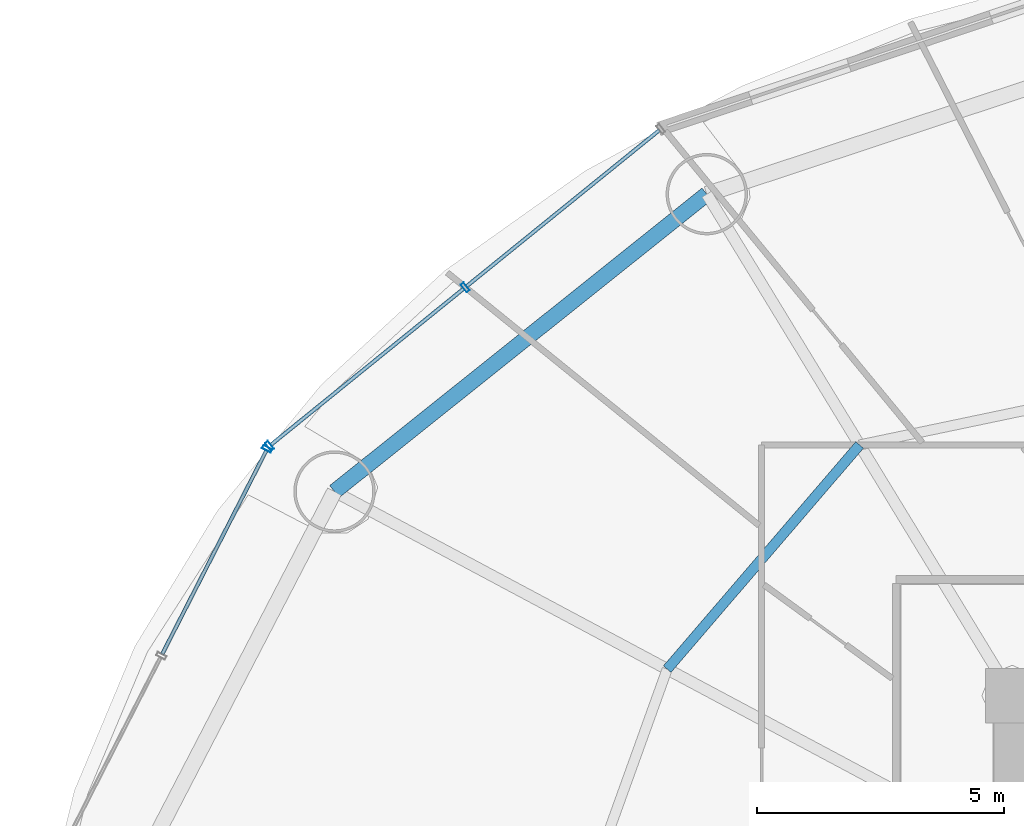
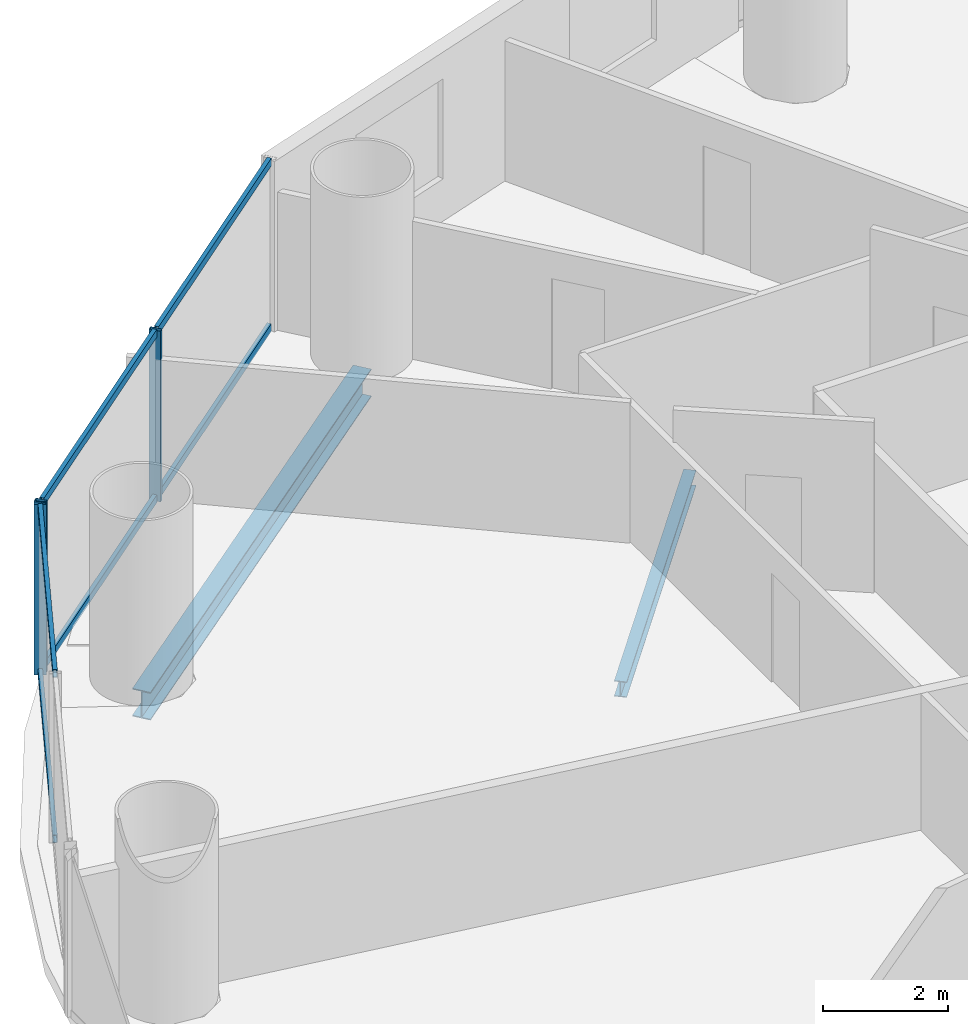
# One storey, part 15 of 30: 9 members, 2 beams, 2 elements without a shape of their own.
"""IFC4 building model written with IfcOpenShell, lengths in metres."""

from ifc_helpers import new_model, si_unit, direction, frame, origin, origin_2d, place, context, subcontext, project, spatial, hollow_rectangle, i_section, extrude, source, transform, mapped, material, material_profile, profile_set, type_object, element, aggregate, save


model = new_model("IFC4")

# Units and contexts
model_context = context("Model", 3, precision=1e-05, world=origin(), true_north=direction((-0.2419218956, 0.970295726276)))
body_context = subcontext(model_context, "Body", "Model", "MODEL_VIEW")
ifc_project = project(units=[si_unit("LENGTHUNIT", "METRE"), si_unit("AREAUNIT", "SQUARE_METRE"), si_unit("VOLUMEUNIT", "CUBIC_METRE"), si_unit("PLANEANGLEUNIT", "RADIAN"), si_unit("MASSUNIT", "GRAM", prefix="KILO")], contexts=[model_context])

# Site, building, storey
site_placement = place(None, origin())
site = spatial("IfcSite", under=ifc_project, at=site_placement, CompositionType="ELEMENT")
building_placement = place(site_placement, origin())
building = spatial("IfcBuilding", under=site, at=building_placement, Name="Cobrevalo Terracotta Tower", CompositionType="ELEMENT")
storey_placement = place(building_placement, frame((0.0, 0.0, 27.60009765625)))
storey = spatial("IfcBuildingStorey", under=building, at=storey_placement, Name="L06", CompositionType="ELEMENT", Elevation=27.60009765625)

# Beams
ifc_material_1 = material(Name="Steel S355", Category="steel")
ifc_material_profile_1 = material_profile(ifc_material_1, i_section(OverallWidth=0.2041015625, OverallDepth=0.305908203125, WebThickness=0.008544921875, FlangeThickness=0.0146484375, at=origin_2d()), Name="W 310x67")
ifc_profile_set_1 = profile_set([ifc_material_profile_1], Name="Steel S355")
beam_type_1 = type_object("IfcBeamType", Name="Structural Joist W 310x67 (Steel S355)", PredefinedType="JOIST", material=ifc_profile_set_1)
beam_1_placement = place(storey_placement, frame((25.902587890625, 39.8837890625, -0.43310546875), z_axis=(-0.651328404454, -0.758795960421, 0.0), x_axis=(0.758795960421, -0.651328404454, 0.0)))
element("IfcBeam", 1, at=beam_1_placement, inside=storey, type_object=beam_type_1, Name="L06 circumferential secondary floor joist 06", PredefinedType="JOIST", context=body_context, shape_type="SweptSolid", body=[
    extrude(i_section(OverallWidth=0.2041015625, OverallDepth=0.305908203125, WebThickness=0.008544921875, FlangeThickness=0.0146484375, at=origin_2d()), origin(), (0.0, 0.0, 1.0), 5.98828125),
])
ifc_material_profile_2 = material_profile(ifc_material_1, i_section(OverallWidth=0.31201171875, OverallDepth=0.54296875, WebThickness=0.0126953125, FlangeThickness=0.020263671875, at=origin_2d()), Name="W 530x150")
ifc_profile_set_2 = profile_set([ifc_material_profile_2], Name="Steel S355")
beam_type_2 = type_object("IfcBeamType", Name="Structural Spandrel W 530x150 (Steel S355)", PredefinedType="SPANDREL", material=ifc_profile_set_2)
beam_2_placement = place(storey_placement, frame((22.80517578125, 44.967529296875, -0.551513671875), z_axis=(-0.781292806807, -0.62416468182, 0.0), x_axis=(0.62416468182, -0.781292806807, 0.0)))
element("IfcBeam", 2, at=beam_2_placement, inside=storey, type_object=beam_type_2, Name="L06 perimeter ring spandrel 06", PredefinedType="SPANDREL", context=body_context, shape_type="SweptSolid", body=[
    extrude(i_section(OverallWidth=0.31201171875, OverallDepth=0.54296875, WebThickness=0.0126953125, FlangeThickness=0.020263671875, at=origin_2d()), origin(), (0.0, 0.0, 1.0), 9.658203125),
])

# Curtain wall, members
ifc_material_2 = material(Name="Anodized aluminium", Category="aluminium")
curtain_wall_type = type_object("IfcCurtainWallType", Name="Lower-tower unitised acoustic low-E curtain wall CW-U1", PredefinedType="NOTDEFINED", material=ifc_material_2)
curtain_wall_1_placement = place(storey_placement, origin())
curtain_wall_1 = element("IfcCurtainWall", 3, at=curtain_wall_1_placement, inside=storey, type_object=curtain_wall_type, Name="L06 curtain wall CW-L06-S06", PredefinedType="NOTDEFINED")
ifc_material_profile_3 = material_profile(ifc_material_2, hollow_rectangle(XDim=0.074951171875, YDim=0.14990234375, WallThickness=0.00439453125, at=origin_2d()), Name="CWT 75x150")
ifc_profile_set_3 = profile_set([ifc_material_profile_3], Name="Anodized aluminium")
member_type_1 = type_object("IfcMemberType", Name="Tower unitised aluminium transom 75x150", PredefinedType="USERDEFINED", material=ifc_profile_set_3)
shared_shape_1 = source(origin(), body_context, "Body", "SweptSolid", [
    extrude(hollow_rectangle(XDim=0.074951171875, YDim=0.14990234375, WallThickness=0.00439453125, at=origin_2d()), origin(), (0.0, 0.0, 1.0), 5.0234375),
])
member_1_placement = place(storey_placement, frame((21.843017578125, 46.26416015625, 0.0498046875), z_axis=(-0.777022991593, -0.629472215857, 0.0), x_axis=(0.629472215857, -0.777022991593, 0.0)))
member_1 = element("IfcMember", 4, at=member_1_placement, type_object=member_type_1, Name="CW-L06-S06 transom B01-T1", ObjectType="TRANSOM", PredefinedType="USERDEFINED", context=body_context, shape_type="MappedRepresentation", body=[
    mapped(shared_shape_1, transform((0.0, 0.0, 0.0), scale=1.0)),
])
member_2_placement = place(storey_placement, frame((21.843017578125, 46.26416015625, 3.27001953125), z_axis=(-0.777022991593, -0.629472215857, 0.0), x_axis=(0.629472215857, -0.777022991593, 0.0)))
member_2 = element("IfcMember", 5, at=member_2_placement, type_object=member_type_1, Name="CW-L06-S06 transom B01-T2", ObjectType="TRANSOM", PredefinedType="USERDEFINED", context=body_context, shape_type="MappedRepresentation", body=[
    mapped(shared_shape_1, transform((0.0, 0.0, 0.0), scale=1.0)),
])
member_3_placement = place(storey_placement, frame((17.877685546875, 43.0517578125, 0.0498046875), z_axis=(-0.777022991593, -0.629472215857, 0.0), x_axis=(0.629472215857, -0.777022991593, 0.0)))
member_3 = element("IfcMember", 6, at=member_3_placement, type_object=member_type_1, Name="CW-L06-S06 transom B02-T1", ObjectType="TRANSOM", PredefinedType="USERDEFINED", context=body_context, shape_type="MappedRepresentation", body=[
    mapped(shared_shape_1, transform((0.0, 0.0, 0.0), scale=1.0)),
])
member_4_placement = place(storey_placement, frame((17.877685546875, 43.0517578125, 3.27001953125), z_axis=(-0.777022991593, -0.629472215857, 0.0), x_axis=(0.629472215857, -0.777022991593, 0.0)))
member_4 = element("IfcMember", 7, at=member_4_placement, type_object=member_type_1, Name="CW-L06-S06 transom B02-T2", ObjectType="TRANSOM", PredefinedType="USERDEFINED", context=body_context, shape_type="MappedRepresentation", body=[
    mapped(shared_shape_1, transform((0.0, 0.0, 0.0), scale=1.0)),
])
ifc_material_profile_4 = material_profile(ifc_material_2, hollow_rectangle(XDim=0.074951171875, YDim=0.199951171875, WallThickness=0.0048828125, at=origin_2d()), Name="CWM 75x200")
ifc_profile_set_4 = profile_set([ifc_material_profile_4], Name="Anodized aluminium")
member_type_2 = type_object("IfcMemberType", Name="Lower/mid tower unitised mullion 75x200", PredefinedType="MULLION", material=ifc_profile_set_4)
shared_shape_2 = source(origin(), body_context, "Body", "SweptSolid", [
    extrude(hollow_rectangle(XDim=0.074951171875, YDim=0.199951171875, WallThickness=0.0048828125, at=origin_2d()), origin(), (0.0, 0.0, 1.0), 3.31982421875),
])
member_5_placement = place(storey_placement, frame((17.90869140625, 43.076904296875, 0.0), z_axis=(0.0, 0.0, 1.0), x_axis=(-0.777003153187, -0.629496703675, 0.0)))
member_5 = element("IfcMember", 8, at=member_5_placement, type_object=member_type_2, Name="CW-L06-S06 vertical mullion 02", PredefinedType="MULLION", context=body_context, shape_type="MappedRepresentation", body=[
    mapped(shared_shape_2, transform((0.0, 0.0, 0.0), scale=1.0)),
])
member_6_placement = place(storey_placement, frame((13.943359375, 39.864501953125, 0.0), z_axis=(0.0, 0.0, 1.0), x_axis=(-0.777003153187, -0.629496703675, 0.0)))
member_6 = element("IfcMember", 9, at=member_6_placement, type_object=member_type_2, Name="CW-L06-S06 vertical mullion 03", PredefinedType="MULLION", context=body_context, shape_type="MappedRepresentation", body=[
    mapped(shared_shape_2, transform((0.0, 0.0, 0.0), scale=1.0)),
])
aggregate(curtain_wall_1, [member_5, member_6, member_1, member_2, member_3, member_4])

curtain_wall_2_placement = place(storey_placement, origin())
curtain_wall_2 = element("IfcCurtainWall", 10, at=curtain_wall_2_placement, inside=storey, type_object=curtain_wall_type, Name="L06 curtain wall CW-L06-S07", PredefinedType="NOTDEFINED")
member_7_placement = place(storey_placement, frame((13.89404296875, 39.8037109375, 0.0), z_axis=(0.0, 0.0, 1.0), x_axis=(-0.455234136597, -0.890371765543, 0.0)))
member_7 = element("IfcMember", 11, at=member_7_placement, type_object=member_type_2, Name="CW-L06-S07 vertical mullion 01", PredefinedType="MULLION", context=body_context, shape_type="MappedRepresentation", body=[
    mapped(shared_shape_2, transform((0.0, 0.0, 0.0), scale=1.0)),
])
shared_shape_3 = source(origin(), body_context, "Body", "SweptSolid", [
    extrude(hollow_rectangle(XDim=0.074951171875, YDim=0.14990234375, WallThickness=0.00439453125, at=origin_2d()), origin(), (0.0, 0.0, 1.0), 4.63134765625),
])
member_8_placement = place(storey_placement, frame((13.8759765625, 39.76806640625, 0.0498046875), z_axis=(-0.455250376494, -0.890363462133, 0.0), x_axis=(0.890363462133, -0.455250376494, 0.0)))
member_8 = element("IfcMember", 12, at=member_8_placement, type_object=member_type_1, Name="CW-L06-S07 transom B01-T1", ObjectType="TRANSOM", PredefinedType="USERDEFINED", context=body_context, shape_type="MappedRepresentation", body=[
    mapped(shared_shape_3, transform((0.0, 0.0, 0.0), scale=1.0)),
])
member_9_placement = place(storey_placement, frame((13.8759765625, 39.76806640625, 3.27001953125), z_axis=(-0.455250376494, -0.890363462133, 0.0), x_axis=(0.890363462133, -0.455250376494, 0.0)))
member_9 = element("IfcMember", 13, at=member_9_placement, type_object=member_type_1, Name="CW-L06-S07 transom B01-T2", ObjectType="TRANSOM", PredefinedType="USERDEFINED", context=body_context, shape_type="MappedRepresentation", body=[
    mapped(shared_shape_3, transform((0.0, 0.0, 0.0), scale=1.0)),
])
aggregate(curtain_wall_2, [member_7, member_8, member_9])

save(model, "model.ifc")
